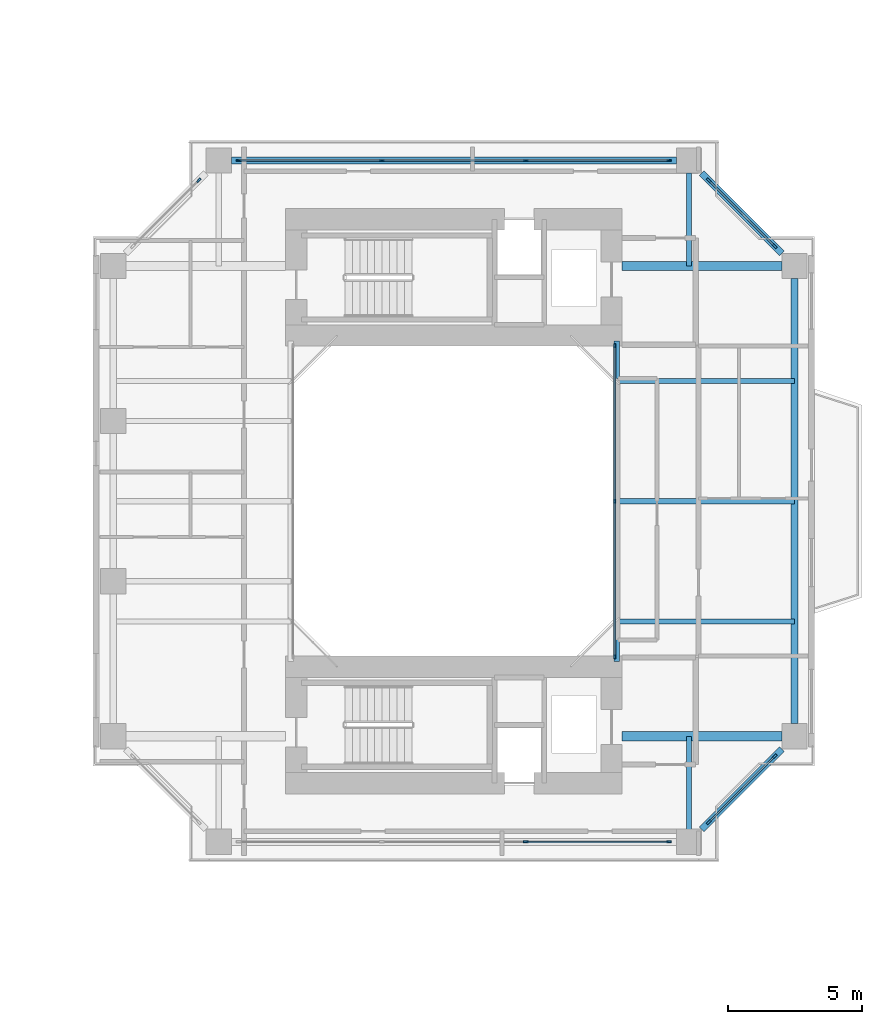
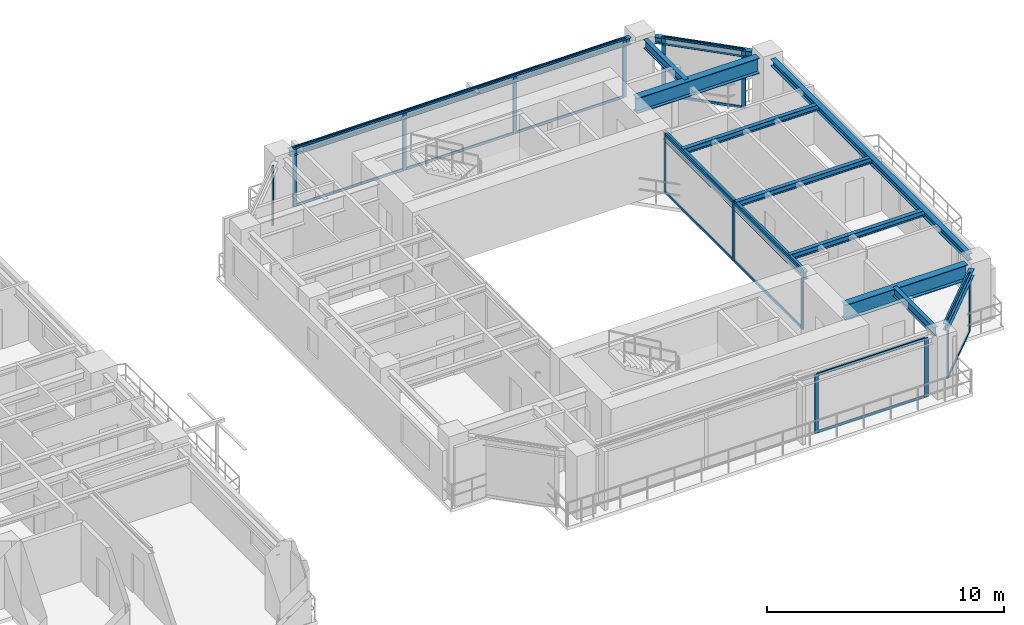
# One storey, part 10 of 24: 30 members, 12 beams, 6 elements without a shape of their own.
"""IFC4 building model written with IfcOpenShell, lengths in metres."""

from ifc_helpers import new_model, si_unit, direction, frame, origin, origin_2d, place, context, subcontext, project, spatial, rectangle, i_section, extrude, source, transform, mapped, material, layer, layer_set, material_profile, profile_set, type_object, element, aggregate, save


model = new_model("IFC4")

# Units and contexts
model_context = context("Model", 3, precision=1e-05, world=origin(), true_north=direction((0.0, 1.0)))
body_context = subcontext(model_context, "Body", "Model", "MODEL_VIEW")
ifc_project = project(units=[si_unit("LENGTHUNIT", "METRE"), si_unit("AREAUNIT", "SQUARE_METRE"), si_unit("VOLUMEUNIT", "CUBIC_METRE"), si_unit("PLANEANGLEUNIT", "RADIAN"), si_unit("MASSUNIT", "GRAM", prefix="KILO"), si_unit("THERMODYNAMICTEMPERATUREUNIT", "KELVIN"), si_unit("POWERUNIT", "WATT")], contexts=[model_context])

# Site, building, storey
site_placement = place(None, origin())
site = spatial("IfcSite", under=ifc_project, at=site_placement, CompositionType="ELEMENT")
building_placement = place(site_placement, origin())
building = spatial("IfcBuilding", under=site, at=building_placement, Name="Qiaomeng Ring Towers", CompositionType="ELEMENT")
storey_placement = place(building_placement, frame((0.0, 0.0, 42.5)))
storey = spatial("IfcBuildingStorey", under=building, at=storey_placement, Name="L11", CompositionType="ELEMENT", Elevation=42.5)

# Beams
ifc_material_1 = material(Name="Steel Q355B", Category="steel")
ifc_material_profile_1 = material_profile(ifc_material_1, i_section(OverallWidth=0.25, OverallDepth=0.340087890625, WebThickness=0.009033203125, FlangeThickness=0.013916015625, FilletRadius=0.02001953125, at=origin_2d()), Name="HM 340x250x9x14")
ifc_profile_set_1 = profile_set([ifc_material_profile_1], Name="Steel Q355B")
beam_type_1 = type_object("IfcBeamType", Name="STR-BM-HM340", PredefinedType="SPANDREL", material=ifc_profile_set_1)
shared_shape_1 = source(origin(), body_context, "Body", "SweptSolid", [
    extrude(i_section(OverallWidth=0.25, OverallDepth=0.340087890625, WebThickness=0.009033203125, FlangeThickness=0.013916015625, FilletRadius=0.02001953125, at=origin_2d()), origin(), (0.0, 0.0, 1.0), 16.65185546875),
])
for number, where, z_axis, x_axis, name in (
    (1, (73.25, 14.674072265625, 2.860107421875), (0.0, 1.0, 0.0), (-1.0, 0.0, 0.0), "L11 beam STR-SP-L11-T2-E1-E2"),
    (2, (68.825927734375, 35.75, 2.860107421875), (-1.0, 0.0, 0.0), (0.0, -1.0, 0.0), "L11 beam STR-SP-L11-T2-N2-N1"),
):
    element("IfcBeam", number, at=place(storey_placement, frame(where, z_axis=z_axis, x_axis=x_axis)), inside=storey, type_object=beam_type_1, Name=name, PredefinedType="SPANDREL", context=body_context, shape_type="MappedRepresentation", body=[
        mapped(shared_shape_1, transform((0.0, 0.0, 0.0), x_axis=(1.0, 0.0, 0.0), y_axis=(0.0, 1.0, 0.0), z_axis=(0.0, 0.0, 1.0), scale=1.0)),
    ])
shared_shape_2 = source(origin(), body_context, "Body", "SweptSolid", [
    extrude(i_section(OverallWidth=0.25, OverallDepth=0.340087890625, WebThickness=0.009033203125, FlangeThickness=0.013916015625, FilletRadius=0.02001953125, at=origin_2d()), origin(), (0.0, 0.0, 1.0), 4.244384765625),
])
for number, where, z_axis, x_axis, name in (
    (3, (69.7744140625, 10.724365234375, 2.860107421875), (0.707106781187, 0.707106781187, 0.0), (-0.707106781187, 0.707106781187, 0.0), "L11 beam STR-SP-L11-T2-S2-E1"),
    (4, (72.775634765625, 32.2744140625, 2.860107421875), (-0.707106781187, 0.707106781187, 0.0), (-0.707106781187, -0.707106781187, 0.0), "L11 beam STR-SP-L11-T2-E2-N2"),
):
    element("IfcBeam", number, at=place(storey_placement, frame(where, z_axis=z_axis, x_axis=x_axis)), inside=storey, type_object=beam_type_1, Name=name, PredefinedType="SPANDREL", context=body_context, shape_type="MappedRepresentation", body=[
        mapped(shared_shape_2, transform((0.0, 0.0, 0.0), x_axis=(1.0, 0.0, 0.0), y_axis=(0.0, 1.0, 0.0), z_axis=(0.0, 0.0, 1.0), scale=1.0)),
    ])
ifc_material_profile_2 = material_profile(ifc_material_1, i_section(OverallWidth=0.199951171875, OverallDepth=0.39990234375, WebThickness=0.008056640625, FlangeThickness=0.012939453125, FilletRadius=0.01611328125, at=origin_2d()), Name="HN 400x200x8x13")
ifc_profile_set_2 = profile_set([ifc_material_profile_2], Name="Steel Q355B")
beam_type_2 = type_object("IfcBeamType", Name="STR-BM-HN400", PredefinedType="SPANDREL", material=ifc_profile_set_2)
shared_shape_3 = source(origin(), body_context, "Body", "SweptSolid", [
    extrude(i_section(OverallWidth=0.199951171875, OverallDepth=0.39990234375, WebThickness=0.008056640625, FlangeThickness=0.012939453125, FilletRadius=0.01611328125, at=origin_2d()), origin(), (0.0, 0.0, 1.0), 12.0),
])
beam_placement = place(storey_placement, frame((66.60009765625, 17.0, 2.830078125), z_axis=(0.0, 1.0, 0.0), x_axis=(-1.0, 0.0, 0.0)))
element("IfcBeam", 5, at=beam_placement, inside=storey, type_object=beam_type_2, Name="L11 beam STR-BM-L11-T2-WELL-E", PredefinedType="SPANDREL", context=body_context, shape_type="MappedRepresentation", body=[
    mapped(shared_shape_3, transform((0.0, 0.0, 0.0), x_axis=(1.0, 0.0, 0.0), y_axis=(0.0, 1.0, 0.0), z_axis=(0.0, 0.0, 1.0), scale=1.0)),
])
ifc_material_2 = material(Name="Steel Q390GJC", Category="steel")
ifc_material_profile_3 = material_profile(ifc_material_2, i_section(OverallWidth=0.35009765625, OverallDepth=0.800048828125, WebThickness=0.01611328125, FlangeThickness=0.028076171875, at=origin_2d()), Name="WH 800x350x16x28")
ifc_profile_set_3 = profile_set([ifc_material_profile_3], Name="Steel Q390GJC")
beam_type_3 = type_object("IfcBeamType", Name="STR-BM-WH800", PredefinedType="BEAM", material=ifc_profile_set_3)
shared_shape_4 = source(origin(), body_context, "Body", "SweptSolid", [
    extrude(i_section(OverallWidth=0.35009765625, OverallDepth=0.800048828125, WebThickness=0.01611328125, FlangeThickness=0.028076171875, at=origin_2d()), origin(), (0.0, 0.0, 1.0), 5.975830078125),
])
for number, where, z_axis, x_axis, name in (
    (6, (66.800048828125, 14.199951171875, 2.6298828125), (1.0, 0.0, 0.0), (0.0, 1.0, 0.0), "L11 beam STR-BM-L11-T2-RAD-E1"),
    (7, (66.800048828125, 31.800048828125, 2.6298828125), (1.0, 0.0, 0.0), (0.0, 1.0, 0.0), "L11 beam STR-BM-L11-T2-RAD-E2"),
):
    element("IfcBeam", number, at=place(storey_placement, frame(where, z_axis=z_axis, x_axis=x_axis)), inside=storey, type_object=beam_type_3, Name=name, PredefinedType="BEAM", context=body_context, shape_type="MappedRepresentation", body=[
        mapped(shared_shape_4, transform((0.0, 0.0, 0.0), x_axis=(1.0, 0.0, 0.0), y_axis=(0.0, 1.0, 0.0), z_axis=(0.0, 0.0, 1.0), scale=1.0)),
    ])
ifc_material_profile_4 = material_profile(ifc_material_1, i_section(OverallWidth=0.199951171875, OverallDepth=0.449951171875, WebThickness=0.009033203125, FlangeThickness=0.013916015625, FilletRadius=0.01806640625, at=origin_2d()), Name="HN 450x200x9x14")
ifc_profile_set_4 = profile_set([ifc_material_profile_4], Name="Steel Q355B")
beam_type_4 = type_object("IfcBeamType", Name="STR-BM-HN450", PredefinedType="SPANDREL", material=ifc_profile_set_4)
shared_shape_5 = source(origin(), body_context, "Body", "SweptSolid", [
    extrude(i_section(OverallWidth=0.199951171875, OverallDepth=0.449951171875, WebThickness=0.009033203125, FlangeThickness=0.013916015625, FilletRadius=0.01806640625, at=origin_2d()), origin(), (0.0, 0.0, 1.0), 3.475830078125),
])
for number, where, z_axis, x_axis, name in (
    (8, (69.300048828125, 35.27587890625, 2.804931640625), (0.0, -1.0, 0.0), (1.0, 0.0, 0.0), "L11 beam STR-BM-L11-T2-RAD-N2"),
    (9, (69.300048828125, 10.72412109375, 2.804931640625), (0.0, 1.0, 0.0), (-1.0, 0.0, 0.0), "L11 beam STR-BM-L11-T2-RAD-S2"),
):
    element("IfcBeam", number, at=place(storey_placement, frame(where, z_axis=z_axis, x_axis=x_axis)), inside=storey, type_object=beam_type_4, Name=name, PredefinedType="SPANDREL", context=body_context, shape_type="MappedRepresentation", body=[
        mapped(shared_shape_5, transform((0.0, 0.0, 0.0), x_axis=(1.0, 0.0, 0.0), y_axis=(0.0, 1.0, 0.0), z_axis=(0.0, 0.0, 1.0), scale=1.0)),
    ])
ifc_material_profile_5 = material_profile(ifc_material_1, i_section(OverallWidth=0.199951171875, OverallDepth=0.2939453125, WebThickness=0.008056640625, FlangeThickness=0.011962890625, FilletRadius=0.01806640625, at=origin_2d()), Name="HM 294x200x8x12")
ifc_profile_set_5 = profile_set([ifc_material_profile_5], Name="Steel Q355B")
beam_type_5 = type_object("IfcBeamType", Name="STR-BM-HM294", PredefinedType="JOIST", material=ifc_profile_set_5)
shared_shape_6 = source(origin(), body_context, "Body", "SweptSolid", [
    extrude(i_section(OverallWidth=0.199951171875, OverallDepth=0.2939453125, WebThickness=0.008056640625, FlangeThickness=0.011962890625, FilletRadius=0.01806640625, at=origin_2d()), origin(), (0.0, 0.0, 1.0), 6.64990234375),
])
for number, where, z_axis, x_axis, name in (
    (10, (66.60009765625, 18.5, 2.883056640625), (1.0, 0.0, 0.0), (0.0, 1.0, 0.0), "L11 beam STR-JST-L11-T2E-1"),
    (11, (66.60009765625, 23.0, 2.883056640625), (1.0, 0.0, 0.0), (0.0, 1.0, 0.0), "L11 beam STR-JST-L11-T2E-2"),
    (12, (66.60009765625, 27.5, 2.883056640625), (1.0, 0.0, 0.0), (0.0, 1.0, 0.0), "L11 beam STR-JST-L11-T2E-3"),
):
    element("IfcBeam", number, at=place(storey_placement, frame(where, z_axis=z_axis, x_axis=x_axis)), inside=storey, type_object=beam_type_5, Name=name, PredefinedType="JOIST", context=body_context, shape_type="MappedRepresentation", body=[
        mapped(shared_shape_6, transform((0.0, 0.0, 0.0), x_axis=(1.0, 0.0, 0.0), y_axis=(0.0, 1.0, 0.0), z_axis=(0.0, 0.0, 1.0), scale=1.0)),
    ])

# Curtain wall, members
ifc_material_3 = material(Name="Fluorocarbon dark-grey aluminium", Category="aluminium")
ifc_layer_1 = layer(ifc_material_3, 0.139892578125, Name="Fluorocarbon dark-grey aluminium")
ifc_layer_set_1 = layer_set([ifc_layer_1], Name="Fluorocarbon dark-grey aluminium")
curtain_wall_type_1 = type_object("IfcCurtainWallType", Name="ARC-CW-4", PredefinedType="NOTDEFINED", material=ifc_layer_set_1)
curtain_wall_1_placement = place(storey_placement, origin())
curtain_wall_1 = element("IfcCurtainWall", 13, at=curtain_wall_1_placement, inside=storey, type_object=curtain_wall_type_1, Name="L11 Curtain Wall CW4", PredefinedType="NOTDEFINED")
ifc_material_profile_6 = material_profile(ifc_material_3, rectangle(XDim=0.06494140625, YDim=0.1298828125, at=origin_2d()), Name="ALU TRAN 65x130")
ifc_profile_set_6 = profile_set([ifc_material_profile_6], Name="Fluorocarbon dark-grey aluminium")
member_type_1 = type_object("IfcMemberType", Name="ARC-CWT-120", PredefinedType="USERDEFINED", material=ifc_profile_set_6)
shared_shape_7 = source(origin(), body_context, "Body", "SweptSolid", [
    extrude(rectangle(XDim=0.06494140625, YDim=0.1298828125, at=origin_2d()), origin(), (0.0, 0.0, 1.0), 5.75244140625),
])
member_1_placement = place(storey_placement, frame((66.52001953125, 17.215087890625, 0.032470703125), z_axis=(0.0, 1.0, 0.0), x_axis=(-1.0, 0.0, 0.0)))
member_1 = element("IfcMember", 14, at=member_1_placement, type_object=member_type_1, Name="CW4 transom 1.1", ObjectType="TRANSOM", PredefinedType="USERDEFINED", context=body_context, shape_type="MappedRepresentation", body=[
    mapped(shared_shape_7, transform((0.0, 0.0, 0.0), x_axis=(1.0, 0.0, 0.0), y_axis=(0.0, 1.0, 0.0), z_axis=(0.0, 0.0, 1.0), scale=1.0)),
])
member_2_placement = place(storey_placement, frame((66.52001953125, 17.215087890625, 2.99755859375), z_axis=(0.0, 1.0, 0.0), x_axis=(-1.0, 0.0, 0.0)))
member_2 = element("IfcMember", 15, at=member_2_placement, type_object=member_type_1, Name="CW4 transom 1.2", ObjectType="TRANSOM", PredefinedType="USERDEFINED", context=body_context, shape_type="MappedRepresentation", body=[
    mapped(shared_shape_7, transform((0.0, 0.0, 0.0), x_axis=(1.0, 0.0, 0.0), y_axis=(0.0, 1.0, 0.0), z_axis=(0.0, 0.0, 1.0), scale=1.0)),
])
member_3_placement = place(storey_placement, frame((66.52001953125, 23.032470703125, 0.032470703125), z_axis=(0.0, 1.0, 0.0), x_axis=(-1.0, 0.0, 0.0)))
member_3 = element("IfcMember", 16, at=member_3_placement, type_object=member_type_1, Name="CW4 transom 2.1", ObjectType="TRANSOM", PredefinedType="USERDEFINED", context=body_context, shape_type="MappedRepresentation", body=[
    mapped(shared_shape_7, transform((0.0, 0.0, 0.0), x_axis=(1.0, 0.0, 0.0), y_axis=(0.0, 1.0, 0.0), z_axis=(0.0, 0.0, 1.0), scale=1.0)),
])
member_4_placement = place(storey_placement, frame((66.52001953125, 23.032470703125, 2.99755859375), z_axis=(0.0, 1.0, 0.0), x_axis=(-1.0, 0.0, 0.0)))
member_4 = element("IfcMember", 17, at=member_4_placement, type_object=member_type_1, Name="CW4 transom 2.2", ObjectType="TRANSOM", PredefinedType="USERDEFINED", context=body_context, shape_type="MappedRepresentation", body=[
    mapped(shared_shape_7, transform((0.0, 0.0, 0.0), x_axis=(1.0, 0.0, 0.0), y_axis=(0.0, 1.0, 0.0), z_axis=(0.0, 0.0, 1.0), scale=1.0)),
])

ifc_layer_2 = layer(ifc_material_3, 0.14990234375, Name="Fluorocarbon dark-grey aluminium")
ifc_layer_set_2 = layer_set([ifc_layer_2], Name="Fluorocarbon dark-grey aluminium")
curtain_wall_type_2 = type_object("IfcCurtainWallType", Name="ARC-CW-5", PredefinedType="NOTDEFINED", material=ifc_layer_set_2)
curtain_wall_2_placement = place(storey_placement, origin())
curtain_wall_2 = element("IfcCurtainWall", 18, at=curtain_wall_2_placement, inside=storey, type_object=curtain_wall_type_2, Name="L11 Curtain Wall CW5", PredefinedType="NOTDEFINED")
shared_shape_8 = source(origin(), body_context, "Body", "SweptSolid", [
    extrude(rectangle(XDim=0.06494140625, YDim=0.1298828125, at=origin_2d()), origin(), (0.0, 0.0, 1.0), 5.284912109375),
])
member_5_placement = place(storey_placement, frame((52.485107421875, 35.75, 0.032470703125), z_axis=(1.0, 0.0, 0.0), x_axis=(0.0, 1.0, 0.0)))
member_5 = element("IfcMember", 19, at=member_5_placement, type_object=member_type_1, Name="CW5 transom 1.1", ObjectType="TRANSOM", PredefinedType="USERDEFINED", context=body_context, shape_type="MappedRepresentation", body=[
    mapped(shared_shape_8, transform((0.0, 0.0, 0.0), x_axis=(1.0, 0.0, 0.0), y_axis=(0.0, 1.0, 0.0), z_axis=(0.0, 0.0, 1.0), scale=1.0)),
])
member_6_placement = place(storey_placement, frame((52.485107421875, 35.75, 2.99755859375), z_axis=(1.0, 0.0, 0.0), x_axis=(0.0, 1.0, 0.0)))
member_6 = element("IfcMember", 20, at=member_6_placement, type_object=member_type_1, Name="CW5 transom 1.2", ObjectType="TRANSOM", PredefinedType="USERDEFINED", context=body_context, shape_type="MappedRepresentation", body=[
    mapped(shared_shape_8, transform((0.0, 0.0, 0.0), x_axis=(1.0, 0.0, 0.0), y_axis=(0.0, 1.0, 0.0), z_axis=(0.0, 0.0, 1.0), scale=1.0)),
])
member_7_placement = place(storey_placement, frame((63.22998046875, 35.75, 0.032470703125), z_axis=(1.0, 0.0, 0.0), x_axis=(0.0, 1.0, 0.0)))
member_7 = element("IfcMember", 21, at=member_7_placement, type_object=member_type_1, Name="CW5 transom 3.1", ObjectType="TRANSOM", PredefinedType="USERDEFINED", context=body_context, shape_type="MappedRepresentation", body=[
    mapped(shared_shape_8, transform((0.0, 0.0, 0.0), x_axis=(1.0, 0.0, 0.0), y_axis=(0.0, 1.0, 0.0), z_axis=(0.0, 0.0, 1.0), scale=1.0)),
])
member_8_placement = place(storey_placement, frame((63.22998046875, 35.75, 2.99755859375), z_axis=(1.0, 0.0, 0.0), x_axis=(0.0, 1.0, 0.0)))
member_8 = element("IfcMember", 22, at=member_8_placement, type_object=member_type_1, Name="CW5 transom 3.2", ObjectType="TRANSOM", PredefinedType="USERDEFINED", context=body_context, shape_type="MappedRepresentation", body=[
    mapped(shared_shape_8, transform((0.0, 0.0, 0.0), x_axis=(1.0, 0.0, 0.0), y_axis=(0.0, 1.0, 0.0), z_axis=(0.0, 0.0, 1.0), scale=1.0)),
])

curtain_wall_3_placement = place(storey_placement, origin())
curtain_wall_3 = element("IfcCurtainWall", 23, at=curtain_wall_3_placement, inside=storey, type_object=curtain_wall_type_2, Name="L11 Curtain Wall CW5", PredefinedType="NOTDEFINED")
member_9_placement = place(storey_placement, frame((63.22998046875, 10.25, 0.032470703125), z_axis=(1.0, 0.0, 0.0), x_axis=(0.0, 1.0, 0.0)))
member_9 = element("IfcMember", 24, at=member_9_placement, type_object=member_type_1, Name="CW5 transom 3.1", ObjectType="TRANSOM", PredefinedType="USERDEFINED", context=body_context, shape_type="MappedRepresentation", body=[
    mapped(shared_shape_8, transform((0.0, 0.0, 0.0), x_axis=(1.0, 0.0, 0.0), y_axis=(0.0, 1.0, 0.0), z_axis=(0.0, 0.0, 1.0), scale=1.0)),
])
member_10_placement = place(storey_placement, frame((63.22998046875, 10.25, 2.99755859375), z_axis=(1.0, 0.0, 0.0), x_axis=(0.0, 1.0, 0.0)))
member_10 = element("IfcMember", 25, at=member_10_placement, type_object=member_type_1, Name="CW5 transom 3.2", ObjectType="TRANSOM", PredefinedType="USERDEFINED", context=body_context, shape_type="MappedRepresentation", body=[
    mapped(shared_shape_8, transform((0.0, 0.0, 0.0), x_axis=(1.0, 0.0, 0.0), y_axis=(0.0, 1.0, 0.0), z_axis=(0.0, 0.0, 1.0), scale=1.0)),
])

# Member
shared_shape_9 = source(origin(), body_context, "Body", "SweptSolid", [
    extrude(rectangle(XDim=0.06494140625, YDim=0.1298828125, at=origin_2d()), origin(), (0.0, 0.0, 1.0), 5.31982421875),
])
member_11_placement = place(storey_placement, frame((57.840087890625, 35.75, 0.032470703125), z_axis=(1.0, 0.0, 0.0), x_axis=(0.0, 1.0, 0.0)))
member_11 = element("IfcMember", 26, at=member_11_placement, type_object=member_type_1, Name="CW5 transom 2.1", ObjectType="TRANSOM", PredefinedType="USERDEFINED", context=body_context, shape_type="MappedRepresentation", body=[
    mapped(shared_shape_9, transform((0.0, 0.0, 0.0), x_axis=(1.0, 0.0, 0.0), y_axis=(0.0, 1.0, 0.0), z_axis=(0.0, 0.0, 1.0), scale=1.0)),
])

member_12_placement = place(storey_placement, frame((57.840087890625, 35.75, 2.99755859375), z_axis=(1.0, 0.0, 0.0), x_axis=(0.0, 1.0, 0.0)))
member_12 = element("IfcMember", 27, at=member_12_placement, type_object=member_type_1, Name="CW5 transom 2.2", ObjectType="TRANSOM", PredefinedType="USERDEFINED", context=body_context, shape_type="MappedRepresentation", body=[
    mapped(shared_shape_9, transform((0.0, 0.0, 0.0), x_axis=(1.0, 0.0, 0.0), y_axis=(0.0, 1.0, 0.0), z_axis=(0.0, 0.0, 1.0), scale=1.0)),
])

# Curtain wall, members
curtain_wall_4_placement = place(storey_placement, origin())
curtain_wall_4 = element("IfcCurtainWall", 28, at=curtain_wall_4_placement, inside=storey, type_object=curtain_wall_type_2, Name="L11 Curtain Wall CW5", PredefinedType="NOTDEFINED")
shared_shape_10 = source(origin(), body_context, "Body", "SweptSolid", [
    extrude(rectangle(XDim=0.06494140625, YDim=0.1298828125, at=origin_2d()), origin(), (0.0, 0.0, 1.0), 3.424072265625),
])
member_13_placement = place(storey_placement, frame((70.064453125, 11.014404296875, 0.032470703125), z_axis=(0.707106781187, 0.707106781187, 0.0), x_axis=(-0.707106781187, 0.707106781187, 0.0)))
member_13 = element("IfcMember", 29, at=member_13_placement, type_object=member_type_1, Name="CW5 transom 1.1", ObjectType="TRANSOM", PredefinedType="USERDEFINED", context=body_context, shape_type="MappedRepresentation", body=[
    mapped(shared_shape_10, transform((0.0, 0.0, 0.0), x_axis=(1.0, 0.0, 0.0), y_axis=(0.0, 1.0, 0.0), z_axis=(0.0, 0.0, 1.0), scale=1.0)),
])
member_14_placement = place(storey_placement, frame((70.064453125, 11.014404296875, 2.99755859375), z_axis=(0.707106781187, 0.707106781187, 0.0), x_axis=(-0.707106781187, 0.707106781187, 0.0)))
member_14 = element("IfcMember", 30, at=member_14_placement, type_object=member_type_1, Name="CW5 transom 1.2", ObjectType="TRANSOM", PredefinedType="USERDEFINED", context=body_context, shape_type="MappedRepresentation", body=[
    mapped(shared_shape_10, transform((0.0, 0.0, 0.0), x_axis=(1.0, 0.0, 0.0), y_axis=(0.0, 1.0, 0.0), z_axis=(0.0, 0.0, 1.0), scale=1.0)),
])

curtain_wall_5_placement = place(storey_placement, origin())
curtain_wall_5 = element("IfcCurtainWall", 31, at=curtain_wall_5_placement, inside=storey, type_object=curtain_wall_type_2, Name="L11 Curtain Wall CW5", PredefinedType="NOTDEFINED")
member_15_placement = place(storey_placement, frame((72.485595703125, 32.564453125, 0.032470703125), z_axis=(-0.707106781187, 0.707106781187, 0.0), x_axis=(-0.707106781187, -0.707106781187, 0.0)))
member_15 = element("IfcMember", 32, at=member_15_placement, type_object=member_type_1, Name="CW5 transom 1.1", ObjectType="TRANSOM", PredefinedType="USERDEFINED", context=body_context, shape_type="MappedRepresentation", body=[
    mapped(shared_shape_10, transform((0.0, 0.0, 0.0), x_axis=(1.0, 0.0, 0.0), y_axis=(0.0, 1.0, 0.0), z_axis=(0.0, 0.0, 1.0), scale=1.0)),
])
member_16_placement = place(storey_placement, frame((72.485595703125, 32.564453125, 2.99755859375), z_axis=(-0.707106781187, 0.707106781187, 0.0), x_axis=(-0.707106781187, -0.707106781187, 0.0)))
member_16 = element("IfcMember", 33, at=member_16_placement, type_object=member_type_1, Name="CW5 transom 1.2", ObjectType="TRANSOM", PredefinedType="USERDEFINED", context=body_context, shape_type="MappedRepresentation", body=[
    mapped(shared_shape_10, transform((0.0, 0.0, 0.0), x_axis=(1.0, 0.0, 0.0), y_axis=(0.0, 1.0, 0.0), z_axis=(0.0, 0.0, 1.0), scale=1.0)),
])

# Member
ifc_material_profile_7 = material_profile(ifc_material_3, rectangle(XDim=0.06494140625, YDim=0.159912109375, at=origin_2d()), Name="ALU MULL 65x160")
ifc_profile_set_7 = profile_set([ifc_material_profile_7], Name="Fluorocarbon dark-grey aluminium")
member_type_2 = type_object("IfcMemberType", Name="ARC-CWM-140", PredefinedType="MULLION", material=ifc_profile_set_7)
shared_shape_11 = source(origin(), body_context, "Body", "SweptSolid", [
    extrude(rectangle(XDim=0.06494140625, YDim=0.159912109375, at=origin_2d()), origin(), (0.0, 0.0, 1.0), 3.030029296875),
])
member_17_placement = place(storey_placement, frame((66.52001953125, 17.1826171875, 0.0), z_axis=(0.0, 0.0, 1.0), x_axis=(-1.0, 0.0, 0.0)))
member_17 = element("IfcMember", 34, at=member_17_placement, type_object=member_type_2, Name="CW4 mullion 1", PredefinedType="MULLION", context=body_context, shape_type="MappedRepresentation", body=[
    mapped(shared_shape_11, transform((0.0, 0.0, 0.0), x_axis=(1.0, 0.0, 0.0), y_axis=(0.0, 1.0, 0.0), z_axis=(0.0, 0.0, 1.0), scale=1.0)),
])

member_18_placement = place(storey_placement, frame((66.52001953125, 23.0, 0.0), z_axis=(0.0, 0.0, 1.0), x_axis=(-1.0, 0.0, 0.0)))
member_18 = element("IfcMember", 35, at=member_18_placement, type_object=member_type_2, Name="CW4 mullion 2", PredefinedType="MULLION", context=body_context, shape_type="MappedRepresentation", body=[
    mapped(shared_shape_11, transform((0.0, 0.0, 0.0), x_axis=(1.0, 0.0, 0.0), y_axis=(0.0, 1.0, 0.0), z_axis=(0.0, 0.0, 1.0), scale=1.0)),
])

member_19_placement = place(storey_placement, frame((66.52001953125, 28.8173828125, 0.0), z_axis=(0.0, 0.0, 1.0), x_axis=(-1.0, 0.0, 0.0)))
member_19 = element("IfcMember", 36, at=member_19_placement, type_object=member_type_2, Name="CW4 mullion 3", PredefinedType="MULLION", context=body_context, shape_type="MappedRepresentation", body=[
    mapped(shared_shape_11, transform((0.0, 0.0, 0.0), x_axis=(1.0, 0.0, 0.0), y_axis=(0.0, 1.0, 0.0), z_axis=(0.0, 0.0, 1.0), scale=1.0)),
])

aggregate(curtain_wall_1, [member_17, member_18, member_19, member_1, member_2, member_3, member_4])

ifc_material_profile_8 = material_profile(ifc_material_3, rectangle(XDim=0.070068359375, YDim=0.179931640625, at=origin_2d()), Name="ALU MULL 70x180")
ifc_profile_set_8 = profile_set([ifc_material_profile_8], Name="Fluorocarbon dark-grey aluminium")
member_type_3 = type_object("IfcMemberType", Name="ARC-CWM-160", PredefinedType="MULLION", material=ifc_profile_set_8)
shared_shape_12 = source(origin(), body_context, "Body", "SweptSolid", [
    extrude(rectangle(XDim=0.070068359375, YDim=0.179931640625, at=origin_2d()), origin(), (0.0, 0.0, 1.0), 3.030029296875),
])
member_20_placement = place(storey_placement, frame((52.449951171875, 35.75, 0.0), z_axis=(0.0, 0.0, 1.0), x_axis=(0.0, 1.0, 0.0)))
member_20 = element("IfcMember", 37, at=member_20_placement, type_object=member_type_3, Name="CW5 mullion 1", PredefinedType="MULLION", context=body_context, shape_type="MappedRepresentation", body=[
    mapped(shared_shape_12, transform((0.0, 0.0, 0.0), x_axis=(1.0, 0.0, 0.0), y_axis=(0.0, 1.0, 0.0), z_axis=(0.0, 0.0, 1.0), scale=1.0)),
])

member_21_placement = place(storey_placement, frame((57.804931640625, 35.75, 0.0), z_axis=(0.0, 0.0, 1.0), x_axis=(0.0, 1.0, 0.0)))
member_21 = element("IfcMember", 38, at=member_21_placement, type_object=member_type_3, Name="CW5 mullion 2", PredefinedType="MULLION", context=body_context, shape_type="MappedRepresentation", body=[
    mapped(shared_shape_12, transform((0.0, 0.0, 0.0), x_axis=(1.0, 0.0, 0.0), y_axis=(0.0, 1.0, 0.0), z_axis=(0.0, 0.0, 1.0), scale=1.0)),
])

member_22_placement = place(storey_placement, frame((63.195068359375, 35.75, 0.0), z_axis=(0.0, 0.0, 1.0), x_axis=(0.0, 1.0, 0.0)))
member_22 = element("IfcMember", 39, at=member_22_placement, type_object=member_type_3, Name="CW5 mullion 3", PredefinedType="MULLION", context=body_context, shape_type="MappedRepresentation", body=[
    mapped(shared_shape_12, transform((0.0, 0.0, 0.0), x_axis=(1.0, 0.0, 0.0), y_axis=(0.0, 1.0, 0.0), z_axis=(0.0, 0.0, 1.0), scale=1.0)),
])

member_23_placement = place(storey_placement, frame((68.550048828125, 35.75, 0.0), z_axis=(0.0, 0.0, 1.0), x_axis=(0.0, 1.0, 0.0)))
member_23 = element("IfcMember", 40, at=member_23_placement, type_object=member_type_3, Name="CW5 mullion 4", PredefinedType="MULLION", context=body_context, shape_type="MappedRepresentation", body=[
    mapped(shared_shape_12, transform((0.0, 0.0, 0.0), x_axis=(1.0, 0.0, 0.0), y_axis=(0.0, 1.0, 0.0), z_axis=(0.0, 0.0, 1.0), scale=1.0)),
])

aggregate(curtain_wall_2, [member_20, member_21, member_22, member_23, member_5, member_6, member_11, member_12, member_7, member_8])

member_24_placement = place(storey_placement, frame((70.039794921875, 10.98974609375, 0.0), z_axis=(0.0, 0.0, 1.0), x_axis=(-0.707106781187, 0.707106781187, 0.0)))
member_24 = element("IfcMember", 41, at=member_24_placement, type_object=member_type_3, Name="CW5 mullion 1", PredefinedType="MULLION", context=body_context, shape_type="MappedRepresentation", body=[
    mapped(shared_shape_12, transform((0.0, 0.0, 0.0), x_axis=(1.0, 0.0, 0.0), y_axis=(0.0, 1.0, 0.0), z_axis=(0.0, 0.0, 1.0), scale=1.0)),
])

member_25_placement = place(storey_placement, frame((72.51025390625, 13.460205078125, 0.0), z_axis=(0.0, 0.0, 1.0), x_axis=(-0.707106781187, 0.707106781187, 0.0)))
member_25 = element("IfcMember", 42, at=member_25_placement, type_object=member_type_3, Name="CW5 mullion 2", PredefinedType="MULLION", context=body_context, shape_type="MappedRepresentation", body=[
    mapped(shared_shape_12, transform((0.0, 0.0, 0.0), x_axis=(1.0, 0.0, 0.0), y_axis=(0.0, 1.0, 0.0), z_axis=(0.0, 0.0, 1.0), scale=1.0)),
])

aggregate(curtain_wall_4, [member_24, member_25, member_13, member_14])

member_26_placement = place(storey_placement, frame((72.51025390625, 32.539794921875, 0.0), z_axis=(0.0, 0.0, 1.0), x_axis=(-0.707106781187, -0.707106781187, 0.0)))
member_26 = element("IfcMember", 43, at=member_26_placement, type_object=member_type_3, Name="CW5 mullion 1", PredefinedType="MULLION", context=body_context, shape_type="MappedRepresentation", body=[
    mapped(shared_shape_12, transform((0.0, 0.0, 0.0), x_axis=(1.0, 0.0, 0.0), y_axis=(0.0, 1.0, 0.0), z_axis=(0.0, 0.0, 1.0), scale=1.0)),
])

member_27_placement = place(storey_placement, frame((70.039794921875, 35.01025390625, 0.0), z_axis=(0.0, 0.0, 1.0), x_axis=(-0.707106781187, -0.707106781187, 0.0)))
member_27 = element("IfcMember", 44, at=member_27_placement, type_object=member_type_3, Name="CW5 mullion 2", PredefinedType="MULLION", context=body_context, shape_type="MappedRepresentation", body=[
    mapped(shared_shape_12, transform((0.0, 0.0, 0.0), x_axis=(1.0, 0.0, 0.0), y_axis=(0.0, 1.0, 0.0), z_axis=(0.0, 0.0, 1.0), scale=1.0)),
])

aggregate(curtain_wall_5, [member_26, member_27, member_15, member_16])

# Curtain wall, member
curtain_wall_6_placement = place(storey_placement, origin())
curtain_wall_6 = element("IfcCurtainWall", 45, at=curtain_wall_6_placement, inside=storey, type_object=curtain_wall_type_2, Name="L11 Curtain Wall CW5", PredefinedType="NOTDEFINED")
member_28_placement = place(storey_placement, frame((50.960205078125, 35.01025390625, 0.0), z_axis=(0.0, 0.0, 1.0), x_axis=(0.707106781187, -0.707106781187, 0.0)))
member_28 = element("IfcMember", 46, at=member_28_placement, type_object=member_type_3, Name="CW5 mullion 1", PredefinedType="MULLION", context=body_context, shape_type="MappedRepresentation", body=[
    mapped(shared_shape_12, transform((0.0, 0.0, 0.0), x_axis=(1.0, 0.0, 0.0), y_axis=(0.0, 1.0, 0.0), z_axis=(0.0, 0.0, 1.0), scale=1.0)),
])
aggregate(curtain_wall_6, [member_28])

# Member
member_29_placement = place(storey_placement, frame((63.195068359375, 10.25, 0.0), z_axis=(0.0, 0.0, 1.0), x_axis=(0.0, 1.0, 0.0)))
member_29 = element("IfcMember", 47, at=member_29_placement, type_object=member_type_3, Name="CW5 mullion 3", PredefinedType="MULLION", context=body_context, shape_type="MappedRepresentation", body=[
    mapped(shared_shape_12, transform((0.0, 0.0, 0.0), x_axis=(1.0, 0.0, 0.0), y_axis=(0.0, 1.0, 0.0), z_axis=(0.0, 0.0, 1.0), scale=1.0)),
])

member_30_placement = place(storey_placement, frame((68.550048828125, 10.25, 0.0), z_axis=(0.0, 0.0, 1.0), x_axis=(0.0, 1.0, 0.0)))
member_30 = element("IfcMember", 48, at=member_30_placement, type_object=member_type_3, Name="CW5 mullion 4", PredefinedType="MULLION", context=body_context, shape_type="MappedRepresentation", body=[
    mapped(shared_shape_12, transform((0.0, 0.0, 0.0), x_axis=(1.0, 0.0, 0.0), y_axis=(0.0, 1.0, 0.0), z_axis=(0.0, 0.0, 1.0), scale=1.0)),
])

aggregate(curtain_wall_3, [member_29, member_30, member_9, member_10])

save(model, "model.ifc")
